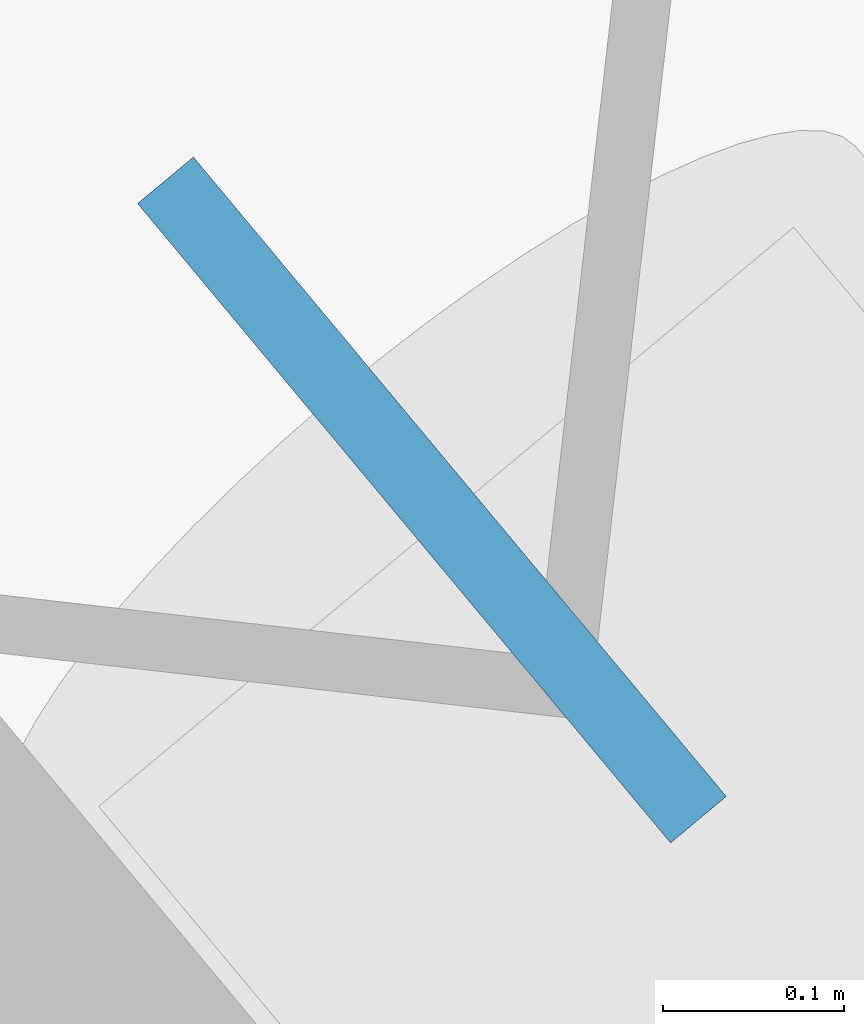
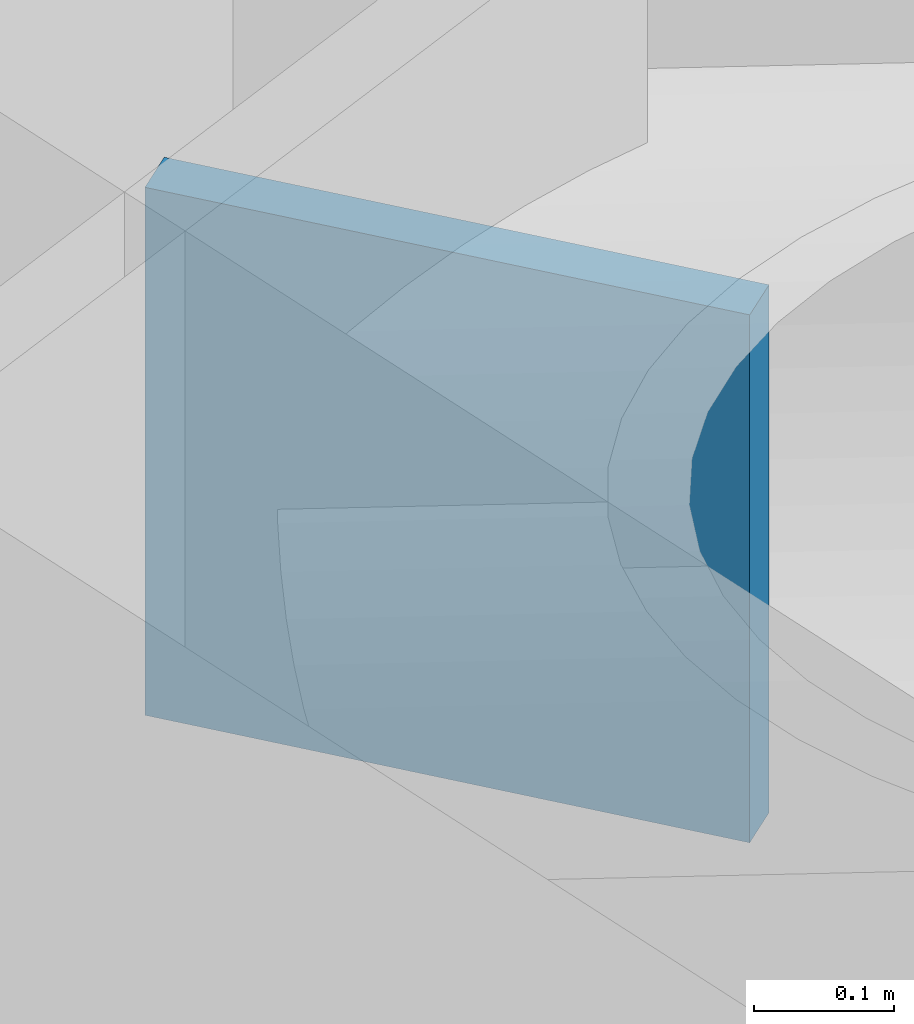
# One storey, part 18 of 19: 1 discrete accessory.
"""IFC4 building model written with IfcOpenShell, lengths in metres."""

import ifcopenshell
import ifcopenshell.guid

model = None  # the IFC model being written
_history = None  # IfcOwnerHistory: only IFC2X3 demands one
_inside = {}  # id of a spatial element -> (the spatial element, [elements in it])
_under = {}  # id of a project, library or spatial element -> (it, [spatial elements below it])
_declared = {}  # id of a project -> (the project, [libraries it declares])
_typed = {}  # id of a type object -> (the type object, [elements of that type])
_made_of = {}  # id of a material, layer set ... -> (it, [elements and type objects made of it])


def new_model(schema):
    """Start an empty IFC model of exactly this schema.

    Asked for "IFC4X3", IfcOpenShell would pick the latest addendum, in which some entities
    have other attributes; the version numbers below select the first issue.
    IFC2X3 requires an IfcOwnerHistory on every rooted entity: one is made here for all.
    """
    global model, _history
    if schema == "IFC4X3":
        model = ifcopenshell.file(schema_version=(4, 3, 0, 0))
    else:
        model = ifcopenshell.file(schema=schema)
    _inside.clear()
    _under.clear()
    _declared.clear()
    _typed.clear()
    _made_of.clear()
    _history = None
    if model.schema == "IFC2X3":
        org = make("IfcOrganization", Name="unknown")
        user = make(
            "IfcPersonAndOrganization",
            ThePerson=make("IfcPerson", FamilyName="unknown"),
            TheOrganization=org,
        )
        app = make(
            "IfcApplication",
            ApplicationDeveloper=org,
            Version="unknown",
            ApplicationFullName="unknown",
            ApplicationIdentifier="unknown",
        )
        _history = make(
            "IfcOwnerHistory",
            OwningUser=user,
            OwningApplication=app,
            ChangeAction="ADDED",
            CreationDate=0,
        )
    return model


def make(cls, **values):
    """One entity of the class cls with the attributes given. An attribute that is None is left unset."""
    return model.create_entity(
        cls, **{name: value for name, value in values.items() if value is not None}
    )


def rooted(cls, **values):
    """An entity with a GlobalId (a new one), such as an element, a storey or a relation."""
    return make(cls, GlobalId=ifcopenshell.guid.new(), OwnerHistory=_history, **values)


def si_unit(unit_type, name, prefix=None):
    """IfcSIUnit, for example si_unit("LENGTHUNIT", "METRE", prefix="MILLI")."""
    return make("IfcSIUnit", UnitType=unit_type, Prefix=prefix, Name=name)


def assignment(units):
    """IfcUnitAssignment: the units of a project."""
    return None if units is None else make("IfcUnitAssignment", Units=units)


def point(xyz):
    """IfcCartesianPoint."""
    return None if xyz is None else make("IfcCartesianPoint", Coordinates=xyz)


def direction(xyz):
    """IfcDirection."""
    return None if xyz is None else make("IfcDirection", DirectionRatios=xyz)


def frame(location, z_axis=None, x_axis=None):
    """IfcAxis2Placement3D, a coordinate frame: its origin and axes. An axis left out is left unset."""
    return make(
        "IfcAxis2Placement3D",
        Location=point(location),
        Axis=direction(z_axis),
        RefDirection=direction(x_axis),
    )


def frame_2d(location, x_axis=None):
    """IfcAxis2Placement2D, a coordinate frame in the plane: its origin and x axis."""
    return make(
        "IfcAxis2Placement2D", Location=point(location), RefDirection=direction(x_axis)
    )


def origin():
    """The frame at (0, 0, 0) with its axes left unset."""
    return frame((0.0, 0.0, 0.0))


def origin_2d():
    """The frame at (0, 0) in the plane with its x axis left unset."""
    return frame_2d((0.0, 0.0))


def place(relative_to, where):
    """IfcLocalPlacement: puts the frame where relative to a parent placement (None: the world)."""
    return make(
        "IfcLocalPlacement", PlacementRelTo=relative_to, RelativePlacement=where
    )


def context(
    kind, dimensions, precision=None, world=None, true_north=None, identifier=None
):
    """IfcGeometricRepresentationContext, for example the 3D "Model" context."""
    return make(
        "IfcGeometricRepresentationContext",
        ContextIdentifier=identifier,
        ContextType=kind,
        CoordinateSpaceDimension=dimensions,
        Precision=precision,
        WorldCoordinateSystem=world,
        TrueNorth=true_north,
    )


def subcontext(parent, identifier, kind, view, scale=None):
    """IfcGeometricRepresentationSubContext, for example "Body" below "Model"."""
    return make(
        "IfcGeometricRepresentationSubContext",
        ContextIdentifier=identifier,
        ContextType=kind,
        ParentContext=parent,
        TargetScale=scale,
        TargetView=view,
    )


def project(units=None, contexts=None):
    """IfcProject with its units and contexts."""
    return rooted(
        "IfcProject",
        Name="project",
        RepresentationContexts=contexts,
        UnitsInContext=assignment(units),
    )


def spatial(cls, under=None, at=None, **own):
    """A site, building, storey or space (cls), placed at a placement, below another one or the project."""
    s = rooted(cls, ObjectPlacement=at, **own)
    if under is not None:
        _under.setdefault(under.id(), (under, []))[1].append(s)
    return s


def profile(cls, at=None, kind="AREA", **sizes):
    """A parametric profile (cls). Its sizes go by their IFC names, for example OverallWidth=200.0."""
    return make(cls, ProfileType=kind, Position=at, **sizes)


def rectangle(**sizes):
    """IfcRectangleProfileDef."""
    return profile("IfcRectangleProfileDef", **sizes)


def extrude(swept, where, along, depth):
    """IfcExtrudedAreaSolid: the profile swept, set in the frame where, extruded along a direction by depth."""
    return make(
        "IfcExtrudedAreaSolid",
        SweptArea=swept,
        Position=where,
        ExtrudedDirection=direction(along),
        Depth=depth,
    )


def shape(context_of_items, identifier, shape_type, items):
    """IfcShapeRepresentation: the items that make up one representation, for example the "Body"."""
    return make(
        "IfcShapeRepresentation",
        ContextOfItems=context_of_items,
        RepresentationIdentifier=identifier,
        RepresentationType=shape_type,
        Items=items,
    )


def material(Name=None, Category=None):
    """IfcMaterial."""
    return make("IfcMaterial", Name=Name, Category=Category)


def made_of(thing, what):
    """Note that an element or type object is made of a material, layer set ...; save() writes the relation."""
    if what is not None:
        _made_of.setdefault(what.id(), (what, []))[1].append(thing)
    return thing


def type_object(cls, material=None, **own):
    """A type object (cls), such as IfcWallType, which elements share."""
    return made_of(rooted(cls, **own), material)


def element(
    cls,
    number,
    at=None,
    inside=None,
    cuts=None,
    type_object=None,
    material=None,
    context=None,
    identifier="Body",
    shape_type=None,
    held_by="IfcProductDefinitionShape",
    body=None,
    shapes=None,
    **own,
):
    """One element of the class cls, such as IfcWall. Its Tag is "e" and its number.

    at: its placement. inside: the storey or other place that contains it. cuts: it is an
    opening in that element (IfcRelVoidsElement). A single representation is given by context,
    identifier, shape_type and body (its items); several are given by shapes. held_by: the class
    of the entity that holds the representations. save() writes the other relations.
    """
    e = rooted(cls, Tag="e%d" % number, ObjectPlacement=at, **own)
    if body is not None:
        shapes = [shape(context, identifier, shape_type, body)]
    if shapes is not None:
        e.Representation = make(held_by, Representations=shapes)
    if inside is not None:
        _inside.setdefault(inside.id(), (inside, []))[1].append(e)
    if cuts is not None:
        rooted(
            "IfcRelVoidsElement", RelatingBuildingElement=cuts, RelatedOpeningElement=e
        )
    if type_object is not None:
        _typed.setdefault(type_object.id(), (type_object, []))[1].append(e)
    return made_of(e, material)


def aggregate(whole, parts):
    """IfcRelAggregates: a whole, such as a stair, and the parts it consists of."""
    return rooted("IfcRelAggregates", RelatingObject=whole, RelatedObjects=parts)


def save(model, path):
    """Write the relations noted so far, then the file.

    IfcRelAggregates (storeys below a building ...), IfcRelContainedInSpatialStructure (elements
    in a storey), IfcRelDefinesByType, IfcRelAssociatesMaterial and IfcRelDeclares: one each for
    every whole, place, type object, material and project.
    """
    for whole, parts in _under.values():
        aggregate(whole, parts)
    for where, things in _inside.values():
        rooted(
            "IfcRelContainedInSpatialStructure",
            RelatedElements=things,
            RelatingStructure=where,
        )
    for kind, things in _typed.values():
        rooted("IfcRelDefinesByType", RelatedObjects=things, RelatingType=kind)
    for what, things in _made_of.values():
        rooted("IfcRelAssociatesMaterial", RelatedObjects=things, RelatingMaterial=what)
    for by, libraries in _declared.values():
        rooted("IfcRelDeclares", RelatingContext=by, RelatedDefinitions=libraries)
    model.write(path)


model = new_model("IFC4")

# Units and contexts
model_context = context("Model", 3, precision=1e-05, world=origin(), true_north=direction((0.0, 1.0)))
body_context = subcontext(model_context, "Body", "Model", "MODEL_VIEW")
ifc_project = project(units=[si_unit("LENGTHUNIT", "METRE"), si_unit("AREAUNIT", "SQUARE_METRE"), si_unit("VOLUMEUNIT", "CUBIC_METRE"), si_unit("PLANEANGLEUNIT", "RADIAN"), si_unit("MASSUNIT", "GRAM", prefix="KILO")], contexts=[model_context])

# Site, building, storey
site_placement = place(None, origin())
site = spatial("IfcSite", under=ifc_project, at=site_placement, CompositionType="ELEMENT")
building_placement = place(site_placement, origin())
building = spatial("IfcBuilding", under=site, at=building_placement, Name="Tavrogorsk Clinical Tower", CompositionType="ELEMENT")
storey_placement = place(building_placement, frame((0.0, 0.0, 141.39990234375)))
storey = spatial("IfcBuildingStorey", under=building, at=storey_placement, Name="L32", CompositionType="ELEMENT", Elevation=141.39990234375)

# Discrete accessory
ifc_material = material(Name="Structural steel S440", Category="steel")
discrete_accessory_type = type_object("IfcDiscreteAccessoryType", Name="GussetPlateBracket_25", PredefinedType="BRACKET", material=ifc_material)
discrete_accessory_placement = place(storey_placement, frame((37.218017578125, 18.057861328125, 0.16259765625), z_axis=(0.0, 0.0, 1.0), x_axis=(0.640243780506, -0.768171791674, 0.0)))
element("IfcDiscreteAccessory", 1, at=discrete_accessory_placement, inside=storey, type_object=discrete_accessory_type, Name="L32 Brace Gusset Plate EXOCRN-L32-2-A", PredefinedType="BRACKET", context=body_context, shape_type="SweptSolid", body=[
    extrude(rectangle(XDim=0.4599609375, YDim=0.0400390625, at=origin_2d()), origin(), (0.0, 0.0, 1.0), 0.4599609375),
])

save(model, "model.ifc")
